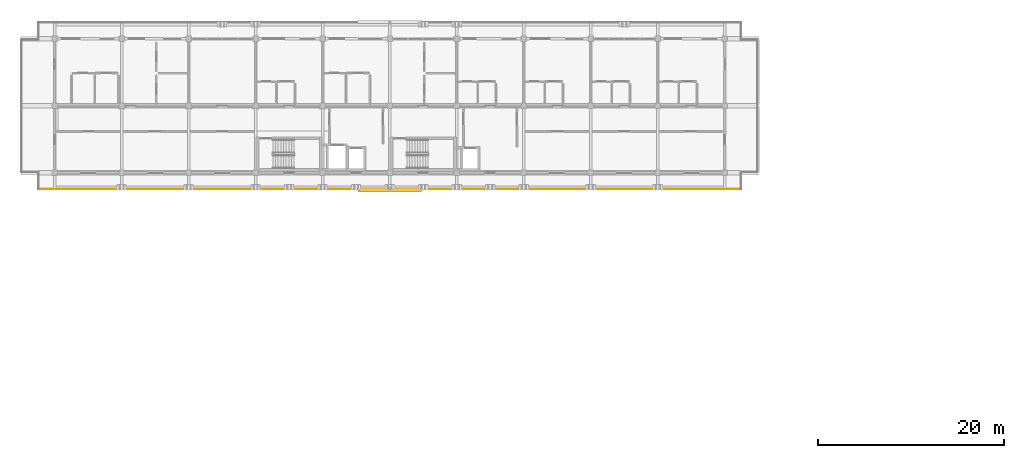
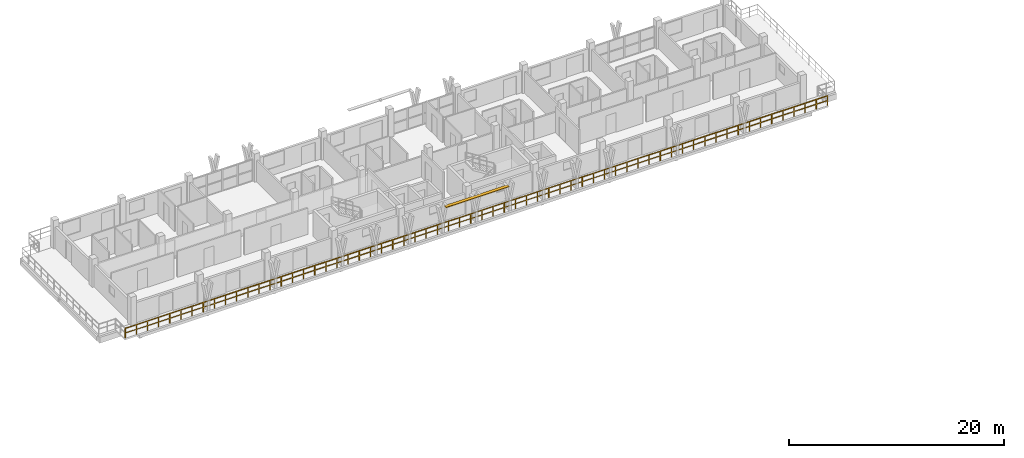
# One storey, part 50 of 56: 1 railing, 1 shading device.
"""IFC4 building model written with IfcOpenShell, lengths in metres."""

from ifc_helpers import new_model, si_unit, direction, frame, origin, origin_2d, place, context, subcontext, project, spatial, rectangle, extrude, material, type_object, element, save


model = new_model("IFC4")

# Units and contexts
model_context = context("Model", 3, precision=1e-05, world=origin(), true_north=direction((0.0, 1.0)))
body_context = subcontext(model_context, "Body", "Model", "MODEL_VIEW")
ifc_project = project(units=[si_unit("LENGTHUNIT", "METRE"), si_unit("AREAUNIT", "SQUARE_METRE"), si_unit("VOLUMEUNIT", "CUBIC_METRE"), si_unit("PLANEANGLEUNIT", "RADIAN"), si_unit("MASSUNIT", "GRAM", prefix="KILO")], contexts=[model_context])

# Site, building, storey
site_placement = place(None, origin())
site = spatial("IfcSite", under=ifc_project, at=site_placement, CompositionType="ELEMENT")
building_placement = place(site_placement, origin())
building = spatial("IfcBuilding", under=site, at=building_placement, Name="Suanplinth Sawtooth Commons", CompositionType="ELEMENT")
storey_placement = place(building_placement, frame((0.0, 0.0, 34.800048828125)))
storey = spatial("IfcBuildingStorey", under=building, at=storey_placement, Name="L10", CompositionType="ELEMENT", Elevation=34.800048828125)

# Railing
ifc_material_1 = material(Name="Powder-coated galvanized steel", Category="steel")
railing_type = type_object("IfcRailingType", Name="GR-01", PredefinedType="BALUSTRADE", material=ifc_material_1)
railing_placement = place(storey_placement, frame((95.340087890625, 106.260009765625, 0.0)))
element("IfcRailing", 1, at=railing_placement, inside=storey, type_object=railing_type, Name="L10 Block A Perimeter Balustrade 11", PredefinedType="BALUSTRADE", context=body_context, shape_type="SweptSolid", body=[
    extrude(rectangle(XDim=0.048095703125, YDim=0.048095703125, at=origin_2d()), frame((0.0, 0.0, 1.09619140625), z_axis=(-1.0, 0.0, 0.0), x_axis=(0.0, -1.0, 0.0)), (0.0, 0.0, 1.0), 75.47998046875),
    extrude(rectangle(XDim=0.03369140625, YDim=0.03369140625, at=origin_2d()), frame((0.0, 0.0, 0.56005859375), z_axis=(-1.0, 0.0, 0.0), x_axis=(0.0, -1.0, 0.0)), (0.0, 0.0, 1.0), 75.47998046875),
    extrude(rectangle(XDim=0.0419921875, YDim=0.0419921875, at=origin_2d()), origin(), (0.0, 0.0, 1.0), 1.072021484375),
    extrude(rectangle(XDim=0.0419921875, YDim=0.0419921875, at=origin_2d()), frame((-1.197998046875, 0.0, 0.0)), (0.0, 0.0, 1.0), 1.072021484375),
    extrude(rectangle(XDim=0.0419921875, YDim=0.0419921875, at=origin_2d()), frame((-2.396240234375, 0.0, 0.0)), (0.0, 0.0, 1.0), 1.072021484375),
    extrude(rectangle(XDim=0.0419921875, YDim=0.0419921875, at=origin_2d()), frame((-3.59423828125, 0.0, 0.0)), (0.0, 0.0, 1.0), 1.072021484375),
    extrude(rectangle(XDim=0.0419921875, YDim=0.0419921875, at=origin_2d()), frame((-4.79248046875, 0.0, 0.0)), (0.0, 0.0, 1.0), 1.072021484375),
    extrude(rectangle(XDim=0.0419921875, YDim=0.0419921875, at=origin_2d()), frame((-5.990478515625, 0.0, 0.0)), (0.0, 0.0, 1.0), 1.072021484375),
    extrude(rectangle(XDim=0.0419921875, YDim=0.0419921875, at=origin_2d()), frame((-7.1884765625, 0.0, 0.0)), (0.0, 0.0, 1.0), 1.072021484375),
    extrude(rectangle(XDim=0.0419921875, YDim=0.0419921875, at=origin_2d()), frame((-8.38671875, 0.0, 0.0)), (0.0, 0.0, 1.0), 1.072021484375),
    extrude(rectangle(XDim=0.0419921875, YDim=0.0419921875, at=origin_2d()), frame((-9.584716796875, 0.0, 0.0)), (0.0, 0.0, 1.0), 1.072021484375),
    extrude(rectangle(XDim=0.0419921875, YDim=0.0419921875, at=origin_2d()), frame((-10.782958984375, 0.0, 0.0)), (0.0, 0.0, 1.0), 1.072021484375),
    extrude(rectangle(XDim=0.0419921875, YDim=0.0419921875, at=origin_2d()), frame((-11.98095703125, 0.0, 0.0)), (0.0, 0.0, 1.0), 1.072021484375),
    extrude(rectangle(XDim=0.0419921875, YDim=0.0419921875, at=origin_2d()), frame((-13.178955078125, 0.0, 0.0)), (0.0, 0.0, 1.0), 1.072021484375),
    extrude(rectangle(XDim=0.0419921875, YDim=0.0419921875, at=origin_2d()), frame((-14.377197265625, 0.0, 0.0)), (0.0, 0.0, 1.0), 1.072021484375),
    extrude(rectangle(XDim=0.0419921875, YDim=0.0419921875, at=origin_2d()), frame((-15.5751953125, 0.0, 0.0)), (0.0, 0.0, 1.0), 1.072021484375),
    extrude(rectangle(XDim=0.0419921875, YDim=0.0419921875, at=origin_2d()), frame((-16.7734375, 0.0, 0.0)), (0.0, 0.0, 1.0), 1.072021484375),
    extrude(rectangle(XDim=0.0419921875, YDim=0.0419921875, at=origin_2d()), frame((-17.971435546875, 0.0, 0.0)), (0.0, 0.0, 1.0), 1.072021484375),
    extrude(rectangle(XDim=0.0419921875, YDim=0.0419921875, at=origin_2d()), frame((-19.16943359375, 0.0, 0.0)), (0.0, 0.0, 1.0), 1.072021484375),
    extrude(rectangle(XDim=0.0419921875, YDim=0.0419921875, at=origin_2d()), frame((-20.36767578125, 0.0, 0.0)), (0.0, 0.0, 1.0), 1.072021484375),
    extrude(rectangle(XDim=0.0419921875, YDim=0.0419921875, at=origin_2d()), frame((-21.565673828125, 0.0, 0.0)), (0.0, 0.0, 1.0), 1.072021484375),
    extrude(rectangle(XDim=0.0419921875, YDim=0.0419921875, at=origin_2d()), frame((-22.763916015625, 0.0, 0.0)), (0.0, 0.0, 1.0), 1.072021484375),
    extrude(rectangle(XDim=0.0419921875, YDim=0.0419921875, at=origin_2d()), frame((-23.9619140625, 0.0, 0.0)), (0.0, 0.0, 1.0), 1.072021484375),
    extrude(rectangle(XDim=0.0419921875, YDim=0.0419921875, at=origin_2d()), frame((-25.159912109375, 0.0, 0.0)), (0.0, 0.0, 1.0), 1.072021484375),
    extrude(rectangle(XDim=0.0419921875, YDim=0.0419921875, at=origin_2d()), frame((-26.358154296875, 0.0, 0.0)), (0.0, 0.0, 1.0), 1.072021484375),
    extrude(rectangle(XDim=0.0419921875, YDim=0.0419921875, at=origin_2d()), frame((-27.55615234375, 0.0, 0.0)), (0.0, 0.0, 1.0), 1.072021484375),
    extrude(rectangle(XDim=0.0419921875, YDim=0.0419921875, at=origin_2d()), frame((-28.75439453125, 0.0, 0.0)), (0.0, 0.0, 1.0), 1.072021484375),
    extrude(rectangle(XDim=0.0419921875, YDim=0.0419921875, at=origin_2d()), frame((-29.952392578125, 0.0, 0.0)), (0.0, 0.0, 1.0), 1.072021484375),
    extrude(rectangle(XDim=0.0419921875, YDim=0.0419921875, at=origin_2d()), frame((-31.150390625, 0.0, 0.0)), (0.0, 0.0, 1.0), 1.072021484375),
    extrude(rectangle(XDim=0.0419921875, YDim=0.0419921875, at=origin_2d()), frame((-32.3486328125, 0.0, 0.0)), (0.0, 0.0, 1.0), 1.072021484375),
    extrude(rectangle(XDim=0.0419921875, YDim=0.0419921875, at=origin_2d()), frame((-33.546630859375, 0.0, 0.0)), (0.0, 0.0, 1.0), 1.072021484375),
    extrude(rectangle(XDim=0.0419921875, YDim=0.0419921875, at=origin_2d()), frame((-34.744873046875, 0.0, 0.0)), (0.0, 0.0, 1.0), 1.072021484375),
    extrude(rectangle(XDim=0.0419921875, YDim=0.0419921875, at=origin_2d()), frame((-35.94287109375, 0.0, 0.0)), (0.0, 0.0, 1.0), 1.072021484375),
    extrude(rectangle(XDim=0.0419921875, YDim=0.0419921875, at=origin_2d()), frame((-37.140869140625, 0.0, 0.0)), (0.0, 0.0, 1.0), 1.072021484375),
    extrude(rectangle(XDim=0.0419921875, YDim=0.0419921875, at=origin_2d()), frame((-38.339111328125, 0.0, 0.0)), (0.0, 0.0, 1.0), 1.072021484375),
    extrude(rectangle(XDim=0.0419921875, YDim=0.0419921875, at=origin_2d()), frame((-39.537109375, 0.0, 0.0)), (0.0, 0.0, 1.0), 1.072021484375),
    extrude(rectangle(XDim=0.0419921875, YDim=0.0419921875, at=origin_2d()), frame((-40.735107421875, 0.0, 0.0)), (0.0, 0.0, 1.0), 1.072021484375),
    extrude(rectangle(XDim=0.0419921875, YDim=0.0419921875, at=origin_2d()), frame((-41.933349609375, 0.0, 0.0)), (0.0, 0.0, 1.0), 1.072021484375),
    extrude(rectangle(XDim=0.0419921875, YDim=0.0419921875, at=origin_2d()), frame((-43.13134765625, 0.0, 0.0)), (0.0, 0.0, 1.0), 1.072021484375),
    extrude(rectangle(XDim=0.0419921875, YDim=0.0419921875, at=origin_2d()), frame((-44.32958984375, 0.0, 0.0)), (0.0, 0.0, 1.0), 1.072021484375),
    extrude(rectangle(XDim=0.0419921875, YDim=0.0419921875, at=origin_2d()), frame((-45.527587890625, 0.0, 0.0)), (0.0, 0.0, 1.0), 1.072021484375),
    extrude(rectangle(XDim=0.0419921875, YDim=0.0419921875, at=origin_2d()), frame((-46.7255859375, 0.0, 0.0)), (0.0, 0.0, 1.0), 1.072021484375),
    extrude(rectangle(XDim=0.0419921875, YDim=0.0419921875, at=origin_2d()), frame((-47.923828125, 0.0, 0.0)), (0.0, 0.0, 1.0), 1.072021484375),
    extrude(rectangle(XDim=0.0419921875, YDim=0.0419921875, at=origin_2d()), frame((-49.121826171875, 0.0, 0.0)), (0.0, 0.0, 1.0), 1.072021484375),
    extrude(rectangle(XDim=0.0419921875, YDim=0.0419921875, at=origin_2d()), frame((-50.320068359375, 0.0, 0.0)), (0.0, 0.0, 1.0), 1.072021484375),
    extrude(rectangle(XDim=0.0419921875, YDim=0.0419921875, at=origin_2d()), frame((-51.51806640625, 0.0, 0.0)), (0.0, 0.0, 1.0), 1.072021484375),
    extrude(rectangle(XDim=0.0419921875, YDim=0.0419921875, at=origin_2d()), frame((-52.716064453125, 0.0, 0.0)), (0.0, 0.0, 1.0), 1.072021484375),
    extrude(rectangle(XDim=0.0419921875, YDim=0.0419921875, at=origin_2d()), frame((-53.914306640625, 0.0, 0.0)), (0.0, 0.0, 1.0), 1.072021484375),
    extrude(rectangle(XDim=0.0419921875, YDim=0.0419921875, at=origin_2d()), frame((-55.1123046875, 0.0, 0.0)), (0.0, 0.0, 1.0), 1.072021484375),
    extrude(rectangle(XDim=0.0419921875, YDim=0.0419921875, at=origin_2d()), frame((-56.310546875, 0.0, 0.0)), (0.0, 0.0, 1.0), 1.072021484375),
    extrude(rectangle(XDim=0.0419921875, YDim=0.0419921875, at=origin_2d()), frame((-57.508544921875, 0.0, 0.0)), (0.0, 0.0, 1.0), 1.072021484375),
    extrude(rectangle(XDim=0.0419921875, YDim=0.0419921875, at=origin_2d()), frame((-58.70654296875, 0.0, 0.0)), (0.0, 0.0, 1.0), 1.072021484375),
    extrude(rectangle(XDim=0.0419921875, YDim=0.0419921875, at=origin_2d()), frame((-59.90478515625, 0.0, 0.0)), (0.0, 0.0, 1.0), 1.072021484375),
    extrude(rectangle(XDim=0.0419921875, YDim=0.0419921875, at=origin_2d()), frame((-61.102783203125, 0.0, 0.0)), (0.0, 0.0, 1.0), 1.072021484375),
    extrude(rectangle(XDim=0.0419921875, YDim=0.0419921875, at=origin_2d()), frame((-62.301025390625, 0.0, 0.0)), (0.0, 0.0, 1.0), 1.072021484375),
    extrude(rectangle(XDim=0.0419921875, YDim=0.0419921875, at=origin_2d()), frame((-63.4990234375, 0.0, 0.0)), (0.0, 0.0, 1.0), 1.072021484375),
    extrude(rectangle(XDim=0.0419921875, YDim=0.0419921875, at=origin_2d()), frame((-64.697021484375, 0.0, 0.0)), (0.0, 0.0, 1.0), 1.072021484375),
    extrude(rectangle(XDim=0.0419921875, YDim=0.0419921875, at=origin_2d()), frame((-65.895263671875, 0.0, 0.0)), (0.0, 0.0, 1.0), 1.072021484375),
    extrude(rectangle(XDim=0.0419921875, YDim=0.0419921875, at=origin_2d()), frame((-67.09326171875, 0.0, 0.0)), (0.0, 0.0, 1.0), 1.072021484375),
    extrude(rectangle(XDim=0.0419921875, YDim=0.0419921875, at=origin_2d()), frame((-68.29150390625, 0.0, 0.0)), (0.0, 0.0, 1.0), 1.072021484375),
    extrude(rectangle(XDim=0.0419921875, YDim=0.0419921875, at=origin_2d()), frame((-69.489501953125, 0.0, 0.0)), (0.0, 0.0, 1.0), 1.072021484375),
    extrude(rectangle(XDim=0.0419921875, YDim=0.0419921875, at=origin_2d()), frame((-70.6875, 0.0, 0.0)), (0.0, 0.0, 1.0), 1.072021484375),
    extrude(rectangle(XDim=0.0419921875, YDim=0.0419921875, at=origin_2d()), frame((-71.8857421875, 0.0, 0.0)), (0.0, 0.0, 1.0), 1.072021484375),
    extrude(rectangle(XDim=0.0419921875, YDim=0.0419921875, at=origin_2d()), frame((-73.083740234375, 0.0, 0.0)), (0.0, 0.0, 1.0), 1.072021484375),
    extrude(rectangle(XDim=0.0419921875, YDim=0.0419921875, at=origin_2d()), frame((-74.281982421875, 0.0, 0.0)), (0.0, 0.0, 1.0), 1.072021484375),
    extrude(rectangle(XDim=0.0419921875, YDim=0.0419921875, at=origin_2d()), frame((-75.47998046875, 0.0, 0.0)), (0.0, 0.0, 1.0), 1.072021484375),
])

# Shading device
ifc_material_2 = material(Name="Anodized aluminium 6063-T6", Category="aluminium")
shading_device_type = type_object("IfcShadingDeviceType", Name="SHD-01", PredefinedType="JALOUSIE", material=ifc_material_2)
shading_device_placement = place(storey_placement, frame((57.60009765625, 106.159912109375, 2.919921875), z_axis=(0.0, 0.0, 1.0), x_axis=(1.0, 0.0, 0.0)))
element("IfcShadingDevice", 2, at=shading_device_placement, inside=storey, type_object=shading_device_type, Name="Monsoon Louvre L10-A-2", PredefinedType="JALOUSIE", context=body_context, shape_type="SweptSolid", body=[
    extrude(rectangle(XDim=6.800048828125, YDim=0.35009765625, at=origin_2d()), origin(), (0.0, 0.0, 1.0), 0.06005859375),
])

save(model, "model.ifc")
